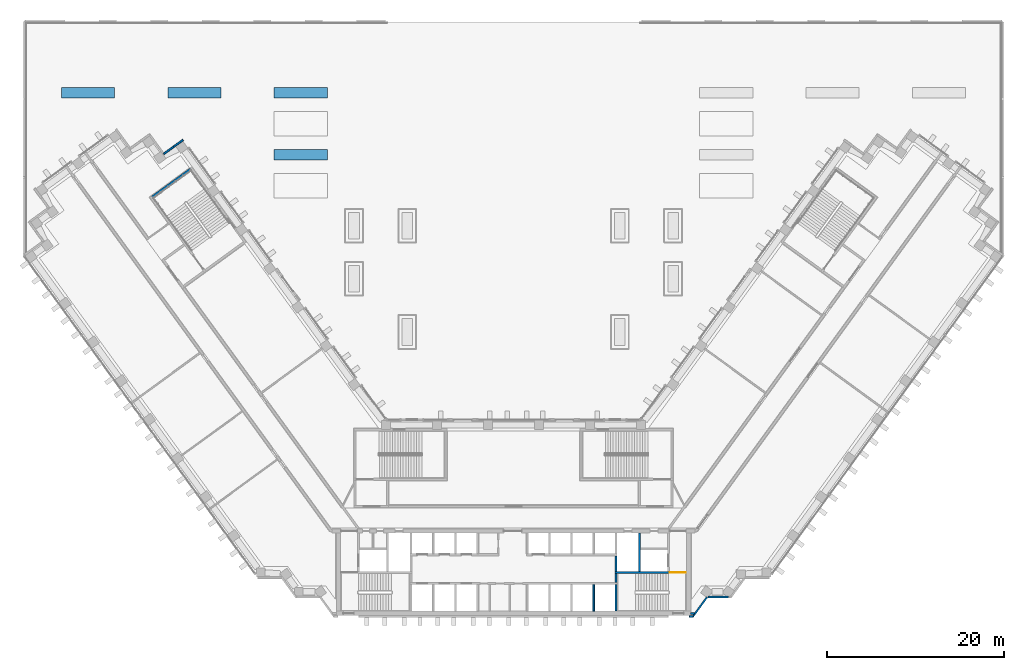
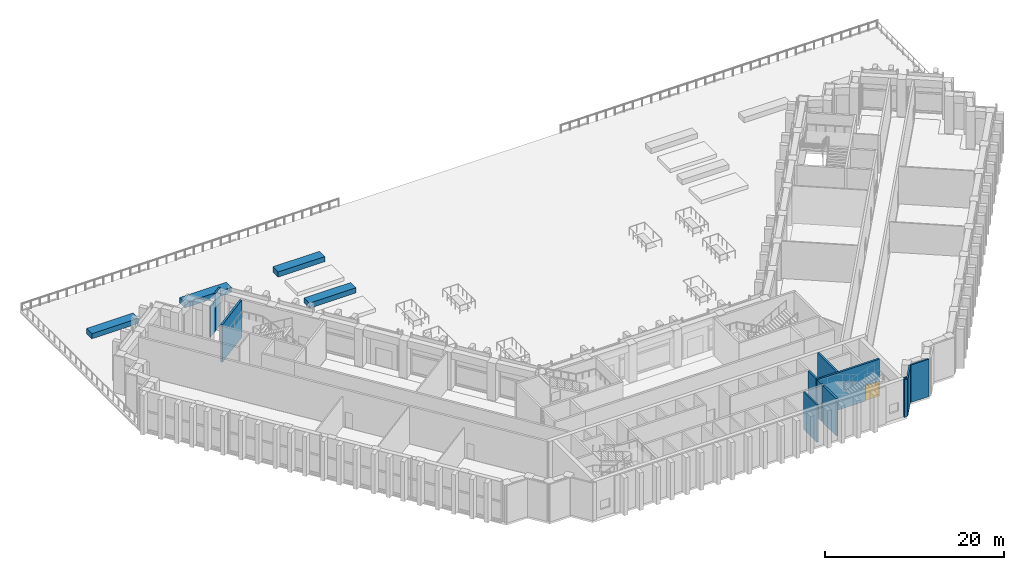
# One storey, part 17 of 25: 17 walls, 1 door, 1 opening.
"""IFC4 building model written with IfcOpenShell, lengths in metres."""

from ifc_helpers import new_model, si_unit, direction, frame, frame_2d, origin, place, context, subcontext, project, spatial, rectangle, extrude, material, layer, layer_set, type_object, element, fill, save


model = new_model("IFC4")

# Units and contexts
model_context = context("Model", 3, precision=1e-05, world=origin(), true_north=direction((0.0, 1.0)))
body_context = subcontext(model_context, "Body", "Model", "MODEL_VIEW")
ifc_project = project(units=[si_unit("LENGTHUNIT", "METRE"), si_unit("AREAUNIT", "SQUARE_METRE"), si_unit("VOLUMEUNIT", "CUBIC_METRE"), si_unit("PLANEANGLEUNIT", "RADIAN"), si_unit("MASSUNIT", "GRAM", prefix="KILO")], contexts=[model_context])

# Site, building, storey
site_placement = place(None, origin())
site = spatial("IfcSite", under=ifc_project, at=site_placement, CompositionType="ELEMENT")
building_placement = place(site_placement, origin())
building = spatial("IfcBuilding", under=site, at=building_placement, Name="Quipu Civic Tower", CompositionType="ELEMENT")
storey_placement = place(building_placement, frame((0.0, 0.0, 6.0)))
storey = spatial("IfcBuildingStorey", under=building, at=storey_placement, Name="L01", CompositionType="ELEMENT", Elevation=6.0)

# Walls
ifc_material_1 = material(Name="Concrete C70/85", Category="concrete")
ifc_layer_1 = layer(ifc_material_1, 0.25)
ifc_layer_set_1 = layer_set([ifc_layer_1], Name="Concrete C70/85")
wall_type_1 = type_object("IfcWallType", Name="Core wall 250", PredefinedType="SHEAR", material=ifc_layer_set_1)
wall_1_placement = place(storey_placement, frame((11.574951171875, -10.5, 0.0), z_axis=(0.0, 0.0, 1.0), x_axis=(0.0, 1.0, 0.0)))
element("IfcWall", 1, at=wall_1_placement, inside=storey, type_object=wall_type_1, Name="Core wall", PredefinedType="SHEAR", context=body_context, shape_type="SweptSolid", body=[
    extrude(rectangle(XDim=3.0, YDim=0.25, at=frame_2d((1.5, 0.0))), origin(), (0.0, 0.0, 1.0), 5.10009765625),
])
wall_2_placement = place(storey_placement, frame((11.574951171875, -7.25, 0.0), z_axis=(0.0, 0.0, 1.0), x_axis=(0.0, 1.0, 0.0)))
element("IfcWall", 2, at=wall_2_placement, inside=storey, type_object=wall_type_1, Name="Core wall", PredefinedType="SHEAR", context=body_context, shape_type="SweptSolid", body=[
    extrude(rectangle(XDim=1.0, YDim=0.25, at=frame_2d((0.5, 0.0))), origin(), (0.0, 0.0, 1.0), 5.10009765625),
])

# Wall, opening, door
wall_3_placement = place(storey_placement, frame((19.5, -6.125, 0.0), z_axis=(0.0, 0.0, 1.0), x_axis=(-1.0, 0.0, 0.0)))
wall_3 = element("IfcWall", 3, at=wall_3_placement, inside=storey, type_object=wall_type_1, Name="Core wall", PredefinedType="SHEAR", context=body_context, shape_type="SweptSolid", body=[
    extrude(rectangle(XDim=8.050048828125, YDim=0.25, at=frame_2d((4.02490234375, 0.0))), origin(), (0.0, 0.0, 1.0), 5.10009765625),
])
opening_placement = place(wall_3_placement, frame((0.050048828125, 0.0, 0.0)))
opening = element("IfcOpeningElement", 4, at=opening_placement, cuts=wall_3, Name="Opening CD-05", PredefinedType="OPENING", context=body_context, shape_type="SweptSolid", body=[
    extrude(rectangle(XDim=1.800048828125, YDim=2.10009765625, at=frame_2d((0.89990234375, 1.050048828125))), frame((0.0, 0.135009765625, 0.0), z_axis=(0.0, -1.0, 0.0), x_axis=(1.0, 0.0, 0.0)), (0.0, 0.0, 1.0), 0.27001953125),
])
ifc_material_2 = material(Name="Fire rated steel door", Category="steel")
door_type = type_object("IfcDoorType", Name="Fire door FD90 double 1800 x 2100", OperationType="NOTDEFINED", PredefinedType="DOOR", material=ifc_material_2)
door_placement = place(opening_placement, origin())
door = element("IfcDoor", 5, at=door_placement, inside=storey, type_object=door_type, Name="Door", OperationType="DOUBLE_DOOR_SINGLE_SWING", OverallHeight=2.10009765625, OverallWidth=1.800048828125, PredefinedType="DOOR", context=body_context, shape_type="SweptSolid", body=[
    extrude(rectangle(XDim=1.800048828125, YDim=2.10009765625, at=frame_2d((0.89990234375, 1.050048828125))), frame((0.0, 0.02490234375, 0.0), z_axis=(0.0, -1.0, 0.0), x_axis=(1.0, 0.0, 0.0)), (0.0, 0.0, 1.0), 0.050048828125),
])
fill(opening, door)

# Walls
wall_4_placement = place(storey_placement, frame((11.574951171875, -6.0, 0.0), z_axis=(0.0, 0.0, 1.0), x_axis=(0.0, 1.0, 0.0)))
element("IfcWall", 6, at=wall_4_placement, inside=storey, type_object=wall_type_1, Name="Core wall", PredefinedType="SHEAR", context=body_context, shape_type="SweptSolid", body=[
    extrude(rectangle(XDim=1.75, YDim=0.25, at=frame_2d((0.875, 0.0))), origin(), (0.0, 0.0, 1.0), 5.10009765625),
])
wall_5_placement = place(storey_placement, frame((14.22509765625, -6.0, 0.0), z_axis=(0.0, 0.0, 1.0), x_axis=(0.0, 1.0, 0.0)))
element("IfcWall", 7, at=wall_5_placement, inside=storey, type_object=wall_type_1, Name="Core wall", PredefinedType="SHEAR", context=body_context, shape_type="SweptSolid", body=[
    extrude(rectangle(XDim=4.300048828125, YDim=0.25, at=frame_2d((2.14990234375, 0.0))), origin(), (0.0, 0.0, 1.0), 5.10009765625),
])
wall_6_placement = place(storey_placement, frame((-36.43896484375, 39.384033203125, 0.0), z_axis=(0.0, 0.0, 1.0), x_axis=(-0.809020161303, -0.587780893365, 0.0)))
element("IfcWall", 8, at=wall_6_placement, inside=storey, type_object=wall_type_1, Name="Core wall", PredefinedType="SHEAR", context=body_context, shape_type="SweptSolid", body=[
    extrude(rectangle(XDim=5.349853515625, YDim=0.25, at=frame_2d((2.6748046875, 0.0))), origin(), (0.0, 0.0, 1.0), 5.10009765625),
])
ifc_material_3 = material(Name="Concrete C30/37", Category="concrete")
wall_type_2 = type_object("IfcWallType", Name="Garden planter", PredefinedType="SOLIDWALL", material=ifc_material_3)
for number, where, z_axis, x_axis, name in (
    (9, (-27.0, 41.0, 0.0), (0.0, 0.0, 1.0), (1.0, 0.0, 0.0), "Garden planter 1"),
    (10, (-51.0, 48.0, 0.0), (0.0, 0.0, 1.0), (1.0, 0.0, 0.0), "Garden planter 3"),
    (11, (-39.0, 48.0, 0.0), (0.0, 0.0, 1.0), (1.0, 0.0, 0.0), "Garden planter 4"),
    (12, (-27.0, 48.0, 0.0), (0.0, 0.0, 1.0), (1.0, 0.0, 0.0), "Garden planter 5"),
):
    element("IfcWall", number, at=place(storey_placement, frame(where, z_axis=z_axis, x_axis=x_axis)), inside=storey, type_object=wall_type_2, Name=name, PredefinedType="SOLIDWALL", context=body_context, shape_type="SweptSolid", body=[
        extrude(rectangle(XDim=6.0, YDim=1.199951171875, at=frame_2d((3.0, 0.0))), origin(), (0.0, 0.0, 1.0), 0.699951171875),
    ])
ifc_material_4 = material(Name="Precast concrete C40/50", Category="concrete")
wall_type_3 = type_object("IfcWallType", Name="Precast cladding wall", PredefinedType="SOLIDWALL", material=ifc_material_4)
wall_7_placement = place(storey_placement, frame((-37.286865234375, 42.677734375, 0.0), z_axis=(0.0, 0.0, 1.0), x_axis=(-0.809065186597, -0.587718915671, 0.0)))
element("IfcWall", 13, at=wall_7_placement, inside=storey, type_object=wall_type_3, Name="Precast cladding wall L01 10", PredefinedType="SOLIDWALL", context=body_context, shape_type="SweptSolid", body=[
    extrude(rectangle(XDim=1.314697265625, YDim=0.199951171875, at=frame_2d((0.6572265625, 0.0))), origin(), (0.0, 0.0, 1.0), 5.10009765625),
])
wall_8_placement = place(storey_placement, frame((-38.3505859375, 41.905029296875, 0.0), z_axis=(0.0, 0.0, 1.0), x_axis=(-0.809002762913, -0.58780483972, 0.0)))
element("IfcWall", 14, at=wall_8_placement, inside=storey, type_object=wall_type_3, Name="Precast cladding wall L01 10 a", PredefinedType="SOLIDWALL", context=body_context, shape_type="SweptSolid", body=[
    extrude(rectangle(XDim=1.38525390625, YDim=0.199951171875, at=frame_2d((0.692626953125, 0.0))), origin(), (0.0, 0.0, 1.0), 4.10009765625),
])
wall_9_placement = place(storey_placement, frame((19.85009765625, -11.087890625, 0.0), z_axis=(0.0, 0.0, 1.0), x_axis=(1.0, 0.0, 0.0)))
element("IfcWall", 15, at=wall_9_placement, inside=storey, type_object=wall_type_3, Name="Precast cladding wall L01 28", PredefinedType="SOLIDWALL", context=body_context, shape_type="SweptSolid", body=[
    extrude(rectangle(XDim=0.40576171875, YDim=0.199951171875, at=frame_2d((0.202880859375, 0.0))), origin(), (0.0, 0.0, 1.0), 5.10009765625),
])
wall_10_placement = place(storey_placement, frame((20.253173828125, -11.083251953125, 0.0), z_axis=(0.0, 0.0, 1.0), x_axis=(0.587766567315, 0.809030569476, 0.0)))
element("IfcWall", 16, at=wall_10_placement, inside=storey, type_object=wall_type_3, Name="Precast cladding wall L01 29", PredefinedType="SOLIDWALL", context=body_context, shape_type="SweptSolid", body=[
    extrude(rectangle(XDim=2.687744140625, YDim=0.199951171875, at=frame_2d((1.34375, 0.0))), origin(), (0.0, 0.0, 1.0), 5.10009765625),
])
wall_11_placement = place(storey_placement, frame((21.943359375, -8.90380859375, 0.0), z_axis=(0.0, 0.0, 1.0), x_axis=(1.0, 0.0, 0.0)))
element("IfcWall", 17, at=wall_11_placement, inside=storey, type_object=wall_type_3, Name="Precast cladding wall L01 30", PredefinedType="SOLIDWALL", context=body_context, shape_type="SweptSolid", body=[
    extrude(rectangle(XDim=2.2978515625, YDim=0.199951171875, at=frame_2d((1.14892578125, 0.0))), origin(), (0.0, 0.0, 1.0), 5.10009765625),
])
wall_12_placement = place(storey_placement, frame((19.97998046875, -10.75, 0.0), z_axis=(0.0, 0.0, 1.0), x_axis=(1.0, 0.0, 0.0)))
element("IfcWall", 18, at=wall_12_placement, inside=storey, type_object=wall_type_3, Name="Precast cladding return L01 E", PredefinedType="SOLIDWALL", context=body_context, shape_type="SweptSolid", body=[
    extrude(rectangle(XDim=0.41650390625, YDim=0.199951171875, at=frame_2d((0.208251953125, 0.0))), origin(), (0.0, 0.0, 1.0), 5.10009765625),
])
ifc_material_5 = material(Name="Concrete C40/50", Category="concrete")
ifc_layer_2 = layer(ifc_material_5, 0.199951171875)
ifc_layer_set_2 = layer_set([ifc_layer_2], Name="Concrete C40/50")
wall_type_4 = type_object("IfcWallType", Name="Shaft wall 200", PredefinedType="SOLIDWALL", material=ifc_layer_set_2)
wall_13_placement = place(storey_placement, frame((9.050048828125, -10.5, 0.0), z_axis=(0.0, 0.0, 1.0), x_axis=(0.0, 1.0, 0.0)))
element("IfcWall", 19, at=wall_13_placement, inside=storey, type_object=wall_type_4, Name="Shaft wall", PredefinedType="SOLIDWALL", context=body_context, shape_type="SweptSolid", body=[
    extrude(rectangle(XDim=3.0, YDim=0.199951171875, at=frame_2d((1.5, 0.0))), origin(), (0.0, 0.0, 1.0), 5.10009765625),
])

save(model, "model.ifc")
